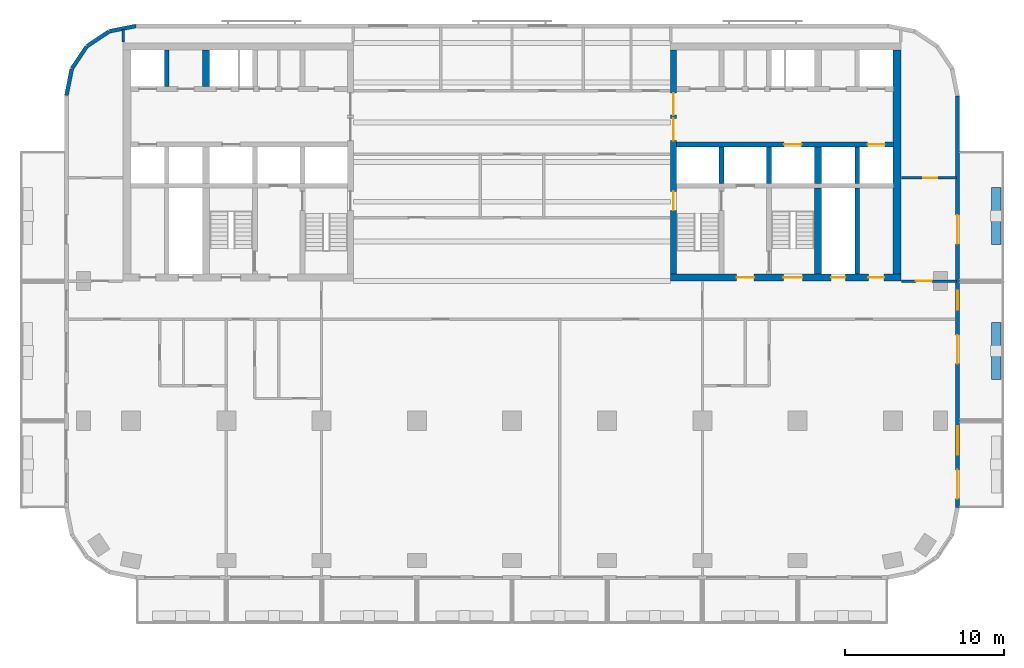
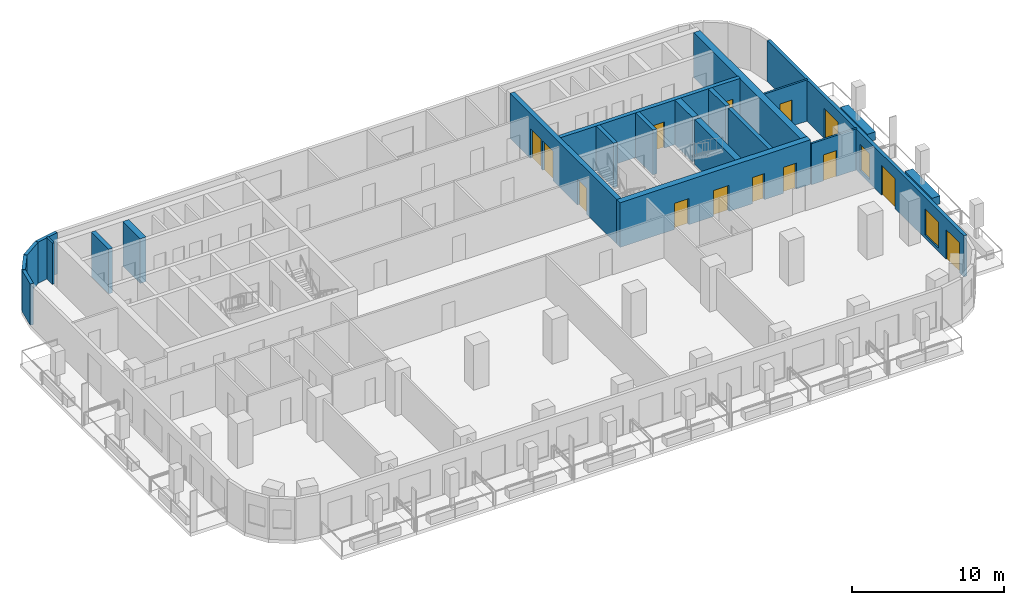
# One storey, part 5 of 11: 22 walls, 14 doors, 2 windows, 16 openings.
"""IFC4 building model written with IfcOpenShell, lengths in metres."""

import ifcopenshell
import ifcopenshell.guid

model = None  # the IFC model being written
_history = None  # IfcOwnerHistory: only IFC2X3 demands one
_inside = {}  # id of a spatial element -> (the spatial element, [elements in it])
_under = {}  # id of a project, library or spatial element -> (it, [spatial elements below it])
_declared = {}  # id of a project -> (the project, [libraries it declares])
_typed = {}  # id of a type object -> (the type object, [elements of that type])
_made_of = {}  # id of a material, layer set ... -> (it, [elements and type objects made of it])


def new_model(schema):
    """Start an empty IFC model of exactly this schema.

    Asked for "IFC4X3", IfcOpenShell would pick the latest addendum, in which some entities
    have other attributes; the version numbers below select the first issue.
    IFC2X3 requires an IfcOwnerHistory on every rooted entity: one is made here for all.
    """
    global model, _history
    if schema == "IFC4X3":
        model = ifcopenshell.file(schema_version=(4, 3, 0, 0))
    else:
        model = ifcopenshell.file(schema=schema)
    _inside.clear()
    _under.clear()
    _declared.clear()
    _typed.clear()
    _made_of.clear()
    _history = None
    if model.schema == "IFC2X3":
        org = make("IfcOrganization", Name="unknown")
        user = make(
            "IfcPersonAndOrganization",
            ThePerson=make("IfcPerson", FamilyName="unknown"),
            TheOrganization=org,
        )
        app = make(
            "IfcApplication",
            ApplicationDeveloper=org,
            Version="unknown",
            ApplicationFullName="unknown",
            ApplicationIdentifier="unknown",
        )
        _history = make(
            "IfcOwnerHistory",
            OwningUser=user,
            OwningApplication=app,
            ChangeAction="ADDED",
            CreationDate=0,
        )
    return model


def make(cls, **values):
    """One entity of the class cls with the attributes given. An attribute that is None is left unset."""
    return model.create_entity(
        cls, **{name: value for name, value in values.items() if value is not None}
    )


def rooted(cls, **values):
    """An entity with a GlobalId (a new one), such as an element, a storey or a relation."""
    return make(cls, GlobalId=ifcopenshell.guid.new(), OwnerHistory=_history, **values)


def si_unit(unit_type, name, prefix=None):
    """IfcSIUnit, for example si_unit("LENGTHUNIT", "METRE", prefix="MILLI")."""
    return make("IfcSIUnit", UnitType=unit_type, Prefix=prefix, Name=name)


def assignment(units):
    """IfcUnitAssignment: the units of a project."""
    return None if units is None else make("IfcUnitAssignment", Units=units)


def point(xyz):
    """IfcCartesianPoint."""
    return None if xyz is None else make("IfcCartesianPoint", Coordinates=xyz)


def direction(xyz):
    """IfcDirection."""
    return None if xyz is None else make("IfcDirection", DirectionRatios=xyz)


def frame(location, z_axis=None, x_axis=None):
    """IfcAxis2Placement3D, a coordinate frame: its origin and axes. An axis left out is left unset."""
    return make(
        "IfcAxis2Placement3D",
        Location=point(location),
        Axis=direction(z_axis),
        RefDirection=direction(x_axis),
    )


def frame_2d(location, x_axis=None):
    """IfcAxis2Placement2D, a coordinate frame in the plane: its origin and x axis."""
    return make(
        "IfcAxis2Placement2D", Location=point(location), RefDirection=direction(x_axis)
    )


def origin():
    """The frame at (0, 0, 0) with its axes left unset."""
    return frame((0.0, 0.0, 0.0))


def place(relative_to, where):
    """IfcLocalPlacement: puts the frame where relative to a parent placement (None: the world)."""
    return make(
        "IfcLocalPlacement", PlacementRelTo=relative_to, RelativePlacement=where
    )


def context(
    kind, dimensions, precision=None, world=None, true_north=None, identifier=None
):
    """IfcGeometricRepresentationContext, for example the 3D "Model" context."""
    return make(
        "IfcGeometricRepresentationContext",
        ContextIdentifier=identifier,
        ContextType=kind,
        CoordinateSpaceDimension=dimensions,
        Precision=precision,
        WorldCoordinateSystem=world,
        TrueNorth=true_north,
    )


def subcontext(parent, identifier, kind, view, scale=None):
    """IfcGeometricRepresentationSubContext, for example "Body" below "Model"."""
    return make(
        "IfcGeometricRepresentationSubContext",
        ContextIdentifier=identifier,
        ContextType=kind,
        ParentContext=parent,
        TargetScale=scale,
        TargetView=view,
    )


def project(units=None, contexts=None):
    """IfcProject with its units and contexts."""
    return rooted(
        "IfcProject",
        Name="project",
        RepresentationContexts=contexts,
        UnitsInContext=assignment(units),
    )


def spatial(cls, under=None, at=None, **own):
    """A site, building, storey or space (cls), placed at a placement, below another one or the project."""
    s = rooted(cls, ObjectPlacement=at, **own)
    if under is not None:
        _under.setdefault(under.id(), (under, []))[1].append(s)
    return s


def profile(cls, at=None, kind="AREA", **sizes):
    """A parametric profile (cls). Its sizes go by their IFC names, for example OverallWidth=200.0."""
    return make(cls, ProfileType=kind, Position=at, **sizes)


def rectangle(**sizes):
    """IfcRectangleProfileDef."""
    return profile("IfcRectangleProfileDef", **sizes)


def extrude(swept, where, along, depth):
    """IfcExtrudedAreaSolid: the profile swept, set in the frame where, extruded along a direction by depth."""
    return make(
        "IfcExtrudedAreaSolid",
        SweptArea=swept,
        Position=where,
        ExtrudedDirection=direction(along),
        Depth=depth,
    )


def shape(context_of_items, identifier, shape_type, items):
    """IfcShapeRepresentation: the items that make up one representation, for example the "Body"."""
    return make(
        "IfcShapeRepresentation",
        ContextOfItems=context_of_items,
        RepresentationIdentifier=identifier,
        RepresentationType=shape_type,
        Items=items,
    )


def material(Name=None, Category=None):
    """IfcMaterial."""
    return make("IfcMaterial", Name=Name, Category=Category)


def layer(
    of_material, thickness, ventilated=None, Name=None, Category=None, Priority=None
):
    """IfcMaterialLayer: one layer of a wall or slab, of a material (None: an air gap)."""
    return make(
        "IfcMaterialLayer",
        Material=of_material,
        LayerThickness=thickness,
        IsVentilated=ventilated,
        Name=Name,
        Category=Category,
        Priority=Priority,
    )


def layer_set(layers, Name=None):
    """IfcMaterialLayerSet."""
    return make("IfcMaterialLayerSet", MaterialLayers=layers, LayerSetName=Name)


def made_of(thing, what):
    """Note that an element or type object is made of a material, layer set ...; save() writes the relation."""
    if what is not None:
        _made_of.setdefault(what.id(), (what, []))[1].append(thing)
    return thing


def type_object(cls, material=None, **own):
    """A type object (cls), such as IfcWallType, which elements share."""
    return made_of(rooted(cls, **own), material)


def element(
    cls,
    number,
    at=None,
    inside=None,
    cuts=None,
    type_object=None,
    material=None,
    context=None,
    identifier="Body",
    shape_type=None,
    held_by="IfcProductDefinitionShape",
    body=None,
    shapes=None,
    **own,
):
    """One element of the class cls, such as IfcWall. Its Tag is "e" and its number.

    at: its placement. inside: the storey or other place that contains it. cuts: it is an
    opening in that element (IfcRelVoidsElement). A single representation is given by context,
    identifier, shape_type and body (its items); several are given by shapes. held_by: the class
    of the entity that holds the representations. save() writes the other relations.
    """
    e = rooted(cls, Tag="e%d" % number, ObjectPlacement=at, **own)
    if body is not None:
        shapes = [shape(context, identifier, shape_type, body)]
    if shapes is not None:
        e.Representation = make(held_by, Representations=shapes)
    if inside is not None:
        _inside.setdefault(inside.id(), (inside, []))[1].append(e)
    if cuts is not None:
        rooted(
            "IfcRelVoidsElement", RelatingBuildingElement=cuts, RelatedOpeningElement=e
        )
    if type_object is not None:
        _typed.setdefault(type_object.id(), (type_object, []))[1].append(e)
    return made_of(e, material)


def fill(opening, filler):
    """IfcRelFillsElement: the door or window that sits in an opening."""
    return rooted(
        "IfcRelFillsElement",
        RelatingOpeningElement=opening,
        RelatedBuildingElement=filler,
    )


def aggregate(whole, parts):
    """IfcRelAggregates: a whole, such as a stair, and the parts it consists of."""
    return rooted("IfcRelAggregates", RelatingObject=whole, RelatedObjects=parts)


def save(model, path):
    """Write the relations noted so far, then the file.

    IfcRelAggregates (storeys below a building ...), IfcRelContainedInSpatialStructure (elements
    in a storey), IfcRelDefinesByType, IfcRelAssociatesMaterial and IfcRelDeclares: one each for
    every whole, place, type object, material and project.
    """
    for whole, parts in _under.values():
        aggregate(whole, parts)
    for where, things in _inside.values():
        rooted(
            "IfcRelContainedInSpatialStructure",
            RelatedElements=things,
            RelatingStructure=where,
        )
    for kind, things in _typed.values():
        rooted("IfcRelDefinesByType", RelatedObjects=things, RelatingType=kind)
    for what, things in _made_of.values():
        rooted("IfcRelAssociatesMaterial", RelatedObjects=things, RelatingMaterial=what)
    for by, libraries in _declared.values():
        rooted("IfcRelDeclares", RelatingContext=by, RelatedDefinitions=libraries)
    model.write(path)


model = new_model("IFC4")

# Units and contexts
model_context = context("Model", 3, precision=1e-05, world=origin(), true_north=direction((0.0, 1.0)))
body_context = subcontext(model_context, "Body", "Model", "MODEL_VIEW")
ifc_project = project(units=[si_unit("LENGTHUNIT", "METRE"), si_unit("AREAUNIT", "SQUARE_METRE"), si_unit("VOLUMEUNIT", "CUBIC_METRE"), si_unit("PLANEANGLEUNIT", "RADIAN"), si_unit("MASSUNIT", "GRAM", prefix="KILO")], contexts=[model_context])

# Site, building, storey
site_placement = place(None, origin())
site = spatial("IfcSite", under=ifc_project, at=site_placement, CompositionType="ELEMENT")
building_placement = place(site_placement, origin())
building = spatial("IfcBuilding", under=site, at=building_placement, Name="Torana Hotel and Residences", CompositionType="ELEMENT")
storey_placement = place(building_placement, frame((0.0, 0.0, 170.39990234375)))
storey = spatial("IfcBuildingStorey", under=building, at=storey_placement, Name="L44", CompositionType="ELEMENT", Elevation=170.39990234375)

# Wall
ifc_material_1 = material(Name="Concrete C70/85", Category="concrete")
ifc_layer_1 = layer(ifc_material_1, 0.300048828125)
ifc_layer_set_1 = layer_set([ifc_layer_1], Name="CORE WALL 300 C70/85")
wall_type_1 = type_object("IfcWallType", Name="CORE WALL 300 C70/85", PredefinedType="SHEAR", material=ifc_layer_set_1)
wall_1_placement = place(storey_placement, frame((-21.75, -2.75, 0.0), z_axis=(0.0, 0.0, 1.0), x_axis=(0.0, 1.0, 0.0)))
element("IfcWall", 1, at=wall_1_placement, inside=storey, type_object=wall_type_1, Name="Core wall W mm-N", PredefinedType="SHEAR", context=body_context, shape_type="SweptSolid", body=[
    extrude(rectangle(XDim=2.300048828125, YDim=0.300048828125, at=frame_2d((1.14990234375, 0.0))), origin(), (0.0, 0.0, 1.0), 3.60009765625),
])

# Wall, openings, doors
wall_2_placement = place(storey_placement, frame((10.35009765625, -6.39990234375, 0.0), z_axis=(0.0, 0.0, 1.0), x_axis=(1.0, 0.0, 0.0)))
wall_2 = element("IfcWall", 2, at=wall_2_placement, inside=storey, type_object=wall_type_1, Name="Core wall E row-S", PredefinedType="SHEAR", context=body_context, shape_type="SweptSolid", body=[
    extrude(rectangle(XDim=13.699951171875, YDim=0.300048828125, at=frame_2d((6.85009765625, 0.0))), origin(), (0.0, 0.0, 1.0), 3.60009765625),
])
opening_1_placement = place(wall_2_placement, frame((12.050048828125, 0.0, 0.0)))
opening_1 = element("IfcOpeningElement", 3, at=opening_1_placement, cuts=wall_2, Name="Opening LD", PredefinedType="OPENING", context=body_context, shape_type="SweptSolid", body=[
    extrude(rectangle(XDim=1.10009765625, YDim=2.10009765625, at=frame_2d((0.550048828125, 1.050048828125))), frame((0.0, 0.159912109375, 0.0), z_axis=(0.0, -1.0, 0.0), x_axis=(1.0, 0.0, 0.0)), (0.0, 0.0, 1.0), 0.320068359375),
])
opening_2_placement = place(wall_2_placement, frame((6.800048828125, 0.0, 0.0)))
opening_2 = element("IfcOpeningElement", 4, at=opening_2_placement, cuts=wall_2, Name="Opening LD", PredefinedType="OPENING", context=body_context, shape_type="SweptSolid", body=[
    extrude(rectangle(XDim=1.10009765625, YDim=2.10009765625, at=frame_2d((0.550048828125, 1.050048828125))), frame((0.0, 0.159912109375, 0.0), z_axis=(0.0, -1.0, 0.0), x_axis=(1.0, 0.0, 0.0)), (0.0, 0.0, 1.0), 0.320068359375),
])
ifc_material_2 = material(Name="Stainless steel 316", Category="steel")
door_type_1 = type_object("IfcDoorType", Name="LIFT LANDING DOOR LD 1100x2100", OperationType="DOUBLE_DOOR_SLIDING", PredefinedType="USERDEFINED", material=ifc_material_2)
door_1_placement = place(opening_1_placement, origin())
door_1 = element("IfcDoor", 5, at=door_1_placement, inside=storey, type_object=door_type_1, Name="Lift landing door M4 L44", ObjectType="LIFT LANDING DOOR", OperationType="DOUBLE_DOOR_SLIDING", OverallHeight=2.10009765625, OverallWidth=1.10009765625, PredefinedType="USERDEFINED", context=body_context, shape_type="SweptSolid", body=[
    extrude(rectangle(XDim=1.10009765625, YDim=2.10009765625, at=frame_2d((0.550048828125, 1.050048828125))), frame((0.0, 0.02490234375, 0.0), z_axis=(0.0, -1.0, 0.0), x_axis=(1.0, 0.0, 0.0)), (0.0, 0.0, 1.0), 0.050048828125),
])
fill(opening_1, door_1)
door_2_placement = place(opening_2_placement, origin())
door_2 = element("IfcDoor", 6, at=door_2_placement, inside=storey, type_object=door_type_1, Name="Lift landing door SV2 L44", ObjectType="LIFT LANDING DOOR", OperationType="DOUBLE_DOOR_SLIDING", OverallHeight=2.10009765625, OverallWidth=1.10009765625, PredefinedType="USERDEFINED", context=body_context, shape_type="SweptSolid", body=[
    extrude(rectangle(XDim=1.10009765625, YDim=2.10009765625, at=frame_2d((0.550048828125, 1.050048828125))), frame((0.0, 0.02490234375, 0.0), z_axis=(0.0, -1.0, 0.0), x_axis=(1.0, 0.0, 0.0)), (0.0, 0.0, 1.0), 0.050048828125),
])
fill(opening_2, door_2)

# Walls
for number, where, z_axis, x_axis, name in (
    (7, (13.199951171875, -8.85009765625, 0.0), (0.0, 0.0, 1.0), (0.0, 1.0, 0.0), "Core wall E x3.05-S"),
    (8, (16.199951171875, -8.85009765625, 0.0), (0.0, 0.0, 1.0), (0.0, 1.0, 0.0), "Core wall E x6.05-S"),
    (9, (21.75, -8.85009765625, 0.0), (0.0, 0.0, 1.0), (0.0, 1.0, 0.0), "Core wall E mm-S"),
):
    element("IfcWall", number, at=place(storey_placement, frame(where, z_axis=z_axis, x_axis=x_axis)), inside=storey, type_object=wall_type_1, Name=name, PredefinedType="SHEAR", context=body_context, shape_type="SweptSolid", body=[
        extrude(rectangle(XDim=2.300048828125, YDim=0.300048828125, at=frame_2d((1.14990234375, 0.0))), origin(), (0.0, 0.0, 1.0), 3.60009765625),
    ])
wall_3_placement = place(storey_placement, frame((21.75, -14.550048828125, 0.0), z_axis=(0.0, 0.0, 1.0), x_axis=(0.0, 1.0, 0.0)))
element("IfcWall", 10, at=wall_3_placement, inside=storey, type_object=wall_type_1, Name="Core wall E mm-band", PredefinedType="SHEAR", context=body_context, shape_type="SweptSolid", body=[
    extrude(rectangle(XDim=5.400146484375, YDim=0.300048828125, at=frame_2d((2.7001953125, 0.0))), origin(), (0.0, 0.0, 1.0), 3.60009765625),
])

# Wall, openings, doors
ifc_material_3 = material(Name="Concrete C70/85", Category="concrete")
ifc_layer_2 = layer(ifc_material_3, 0.35009765625)
ifc_layer_set_2 = layer_set([ifc_layer_2], Name="CORE WALL 350 C70/85")
wall_type_2 = type_object("IfcWallType", Name="CORE WALL 350 C70/85", PredefinedType="SHEAR", material=ifc_layer_set_2)
wall_4_placement = place(storey_placement, frame((10.175048828125, -14.550048828125, 0.0), z_axis=(0.0, 0.0, 1.0), x_axis=(0.0, 1.0, 0.0)))
wall_4 = element("IfcWall", 11, at=wall_4_placement, inside=storey, type_object=wall_type_2, Name="Core wall E arch", PredefinedType="SHEAR", context=body_context, shape_type="SweptSolid", body=[
    extrude(rectangle(XDim=14.10009765625, YDim=0.35009765625, at=frame_2d((7.050048828125, 0.0))), origin(), (0.0, 0.0, 1.0), 3.60009765625),
])
opening_3_placement = place(wall_4_placement, frame((8.39990234375, 0.0, 0.0)))
opening_3 = element("IfcOpeningElement", 12, at=opening_3_placement, cuts=wall_4, Name="Opening L44-16", PredefinedType="OPENING", context=body_context, shape_type="SweptSolid", body=[
    extrude(rectangle(XDim=1.39990234375, YDim=2.39990234375, at=frame_2d((0.699951171875, 1.199951171875))), frame((0.0, 0.18505859375, 0.0), z_axis=(0.0, -1.0, 0.0), x_axis=(1.0, 0.0, 0.0)), (0.0, 0.0, 1.0), 0.3701171875),
])
opening_4_placement = place(wall_4_placement, frame((10.0, 0.0, 0.0)))
opening_4 = element("IfcOpeningElement", 13, at=opening_4_placement, cuts=wall_4, Name="Opening L44-17", PredefinedType="OPENING", context=body_context, shape_type="SweptSolid", body=[
    extrude(rectangle(XDim=1.39990234375, YDim=2.39990234375, at=frame_2d((0.699951171875, 1.199951171875))), frame((0.0, 0.18505859375, 0.0), z_axis=(0.0, -1.0, 0.0), x_axis=(1.0, 0.0, 0.0)), (0.0, 0.0, 1.0), 0.3701171875),
])
opening_5_placement = place(wall_4_placement, frame((4.0, 0.0, 0.0)))
opening_5 = element("IfcOpeningElement", 14, at=opening_5_placement, cuts=wall_4, Name="Opening L44-18", PredefinedType="OPENING", context=body_context, shape_type="SweptSolid", body=[
    extrude(rectangle(XDim=1.199951171875, YDim=2.10009765625, at=frame_2d((0.60009765625, 1.050048828125))), frame((0.0, 0.18505859375, 0.0), z_axis=(0.0, -1.0, 0.0), x_axis=(1.0, 0.0, 0.0)), (0.0, 0.0, 1.0), 0.3701171875),
])
ifc_material_4 = material(Name="Steel S235", Category="steel")
door_type_2 = type_object("IfcDoorType", Name="LOBBY FIRE DOOR D4 1400x2400", OperationType="DOUBLE_DOOR_SINGLE_SWING", PredefinedType="DOOR", material=ifc_material_4)
door_3_placement = place(opening_3_placement, origin())
door_3 = element("IfcDoor", 15, at=door_3_placement, inside=storey, type_object=door_type_2, Name="Lobby-1 door L44", OperationType="DOUBLE_DOOR_SINGLE_SWING", OverallHeight=2.39990234375, OverallWidth=1.39990234375, PredefinedType="DOOR", context=body_context, shape_type="SweptSolid", body=[
    extrude(rectangle(XDim=1.39990234375, YDim=2.39990234375, at=frame_2d((0.699951171875, 1.199951171875))), frame((0.0, 0.02490234375, 0.0), z_axis=(0.0, -1.0, 0.0), x_axis=(1.0, 0.0, 0.0)), (0.0, 0.0, 1.0), 0.050048828125),
])
fill(opening_3, door_3)
door_4_placement = place(opening_4_placement, origin())
door_4 = element("IfcDoor", 16, at=door_4_placement, inside=storey, type_object=door_type_2, Name="Lobby-2 door L44", OperationType="DOUBLE_DOOR_SINGLE_SWING", OverallHeight=2.39990234375, OverallWidth=1.39990234375, PredefinedType="DOOR", context=body_context, shape_type="SweptSolid", body=[
    extrude(rectangle(XDim=1.39990234375, YDim=2.39990234375, at=frame_2d((0.699951171875, 1.199951171875))), frame((0.0, 0.02490234375, 0.0), z_axis=(0.0, -1.0, 0.0), x_axis=(1.0, 0.0, 0.0)), (0.0, 0.0, 1.0), 0.050048828125),
])
fill(opening_4, door_4)
ifc_material_5 = material(Name="Steel S235", Category="steel")
door_type_3 = type_object("IfcDoorType", Name="STAIR FIRE DOOR D3 1200x2100", OperationType="SINGLE_SWING_LEFT", PredefinedType="DOOR", material=ifc_material_5)
door_5_placement = place(opening_5_placement, frame((0.60009765625, 0.0, 0.0), z_axis=(0.0, 0.0, 1.0), x_axis=(-1.0, 0.0, 0.0)))
door_5 = element("IfcDoor", 17, at=door_5_placement, inside=storey, type_object=door_type_3, Name="Stair-A door L44", OperationType="SINGLE_SWING_RIGHT", OverallHeight=2.10009765625, OverallWidth=1.199951171875, PredefinedType="DOOR", context=body_context, shape_type="SweptSolid", body=[
    extrude(rectangle(XDim=1.199951171875, YDim=2.10009765625, at=frame_2d((0.0, 1.050048828125))), frame((0.0, -0.02490234375, 0.0), z_axis=(0.0, 1.0, 0.0), x_axis=(-1.0, 0.0, 0.0)), (0.0, 0.0, 1.0), 0.050048828125),
])
fill(opening_5, door_5)

# Wall
ifc_material_6 = material(Name="Concrete C70/85", Category="concrete")
ifc_layer_3 = layer(ifc_material_6, 0.449951171875)
ifc_layer_set_3 = layer_set([ifc_layer_3], Name="CORE WALL 450 C70/85")
wall_type_3 = type_object("IfcWallType", Name="CORE WALL 450 C70/85", PredefinedType="SHEAR", material=ifc_layer_set_3)
wall_5_placement = place(storey_placement, frame((-19.27490234375, -2.75, 0.0), z_axis=(0.0, 0.0, 1.0), x_axis=(0.0, 1.0, 0.0)))
element("IfcWall", 18, at=wall_5_placement, inside=storey, type_object=wall_type_3, Name="Core wall W hm-N", PredefinedType="SHEAR", context=body_context, shape_type="SweptSolid", body=[
    extrude(rectangle(XDim=2.300048828125, YDim=0.449951171875, at=frame_2d((1.14990234375, 0.0))), origin(), (0.0, 0.0, 1.0), 3.60009765625),
])

# Wall, openings, doors
wall_6_placement = place(storey_placement, frame((10.0, -14.77490234375, 0.0), z_axis=(0.0, 0.0, 1.0), x_axis=(1.0, 0.0, 0.0)))
wall_6 = element("IfcWall", 19, at=wall_6_placement, inside=storey, type_object=wall_type_3, Name="Core wall E front", PredefinedType="SHEAR", context=body_context, shape_type="SweptSolid", body=[
    extrude(rectangle(XDim=14.5, YDim=0.449951171875, at=frame_2d((7.25, 0.0))), origin(), (0.0, 0.0, 1.0), 3.60009765625),
])
opening_6_placement = place(wall_6_placement, frame((7.10009765625, 0.0, 0.0)))
opening_6 = element("IfcOpeningElement", 20, at=opening_6_placement, cuts=wall_6, Name="Opening L44-19", PredefinedType="OPENING", context=body_context, shape_type="SweptSolid", body=[
    extrude(rectangle(XDim=1.199951171875, YDim=2.10009765625, at=frame_2d((0.60009765625, 1.050048828125))), frame((0.0, 0.23486328125, 0.0), z_axis=(0.0, -1.0, 0.0), x_axis=(1.0, 0.0, 0.0)), (0.0, 0.0, 1.0), 0.469970703125),
])
opening_7_placement = place(wall_6_placement, frame((4.14990234375, 0.0, 0.0)))
opening_7 = element("IfcOpeningElement", 21, at=opening_7_placement, cuts=wall_6, Name="Opening L44-20", PredefinedType="OPENING", context=body_context, shape_type="SweptSolid", body=[
    extrude(rectangle(XDim=1.10009765625, YDim=2.10009765625, at=frame_2d((0.550048828125, 1.050048828125))), frame((0.0, 0.23486328125, 0.0), z_axis=(0.0, -1.0, 0.0), x_axis=(1.0, 0.0, 0.0)), (0.0, 0.0, 1.0), 0.469970703125),
])
opening_8_placement = place(wall_6_placement, frame((10.10009765625, 0.0, 0.0)))
opening_8 = element("IfcOpeningElement", 22, at=opening_8_placement, cuts=wall_6, Name="Opening L44-21", PredefinedType="OPENING", context=body_context, shape_type="SweptSolid", body=[
    extrude(rectangle(XDim=0.89990234375, YDim=2.10009765625, at=frame_2d((0.449951171875, 1.050048828125))), frame((0.0, 0.23486328125, 0.0), z_axis=(0.0, -1.0, 0.0), x_axis=(1.0, 0.0, 0.0)), (0.0, 0.0, 1.0), 0.469970703125),
])
opening_9_placement = place(wall_6_placement, frame((12.449951171875, 0.0, 0.0)))
opening_9 = element("IfcOpeningElement", 23, at=opening_9_placement, cuts=wall_6, Name="Opening L44-22", PredefinedType="OPENING", context=body_context, shape_type="SweptSolid", body=[
    extrude(rectangle(XDim=1.0, YDim=2.10009765625, at=frame_2d((0.5, 1.050048828125))), frame((0.0, 0.23486328125, 0.0), z_axis=(0.0, -1.0, 0.0), x_axis=(1.0, 0.0, 0.0)), (0.0, 0.0, 1.0), 0.469970703125),
])
ifc_material_7 = material(Name="Steel S235", Category="steel")
door_type_4 = type_object("IfcDoorType", Name="CORE ROOM FIRE DOOR D14 1000x2100", OperationType="SINGLE_SWING_LEFT", PredefinedType="DOOR", material=ifc_material_7)
door_6_placement = place(opening_9_placement, origin())
door_6 = element("IfcDoor", 24, at=door_6_placement, inside=storey, type_object=door_type_4, Name="M-Room door L44", OperationType="SINGLE_SWING_RIGHT", OverallHeight=2.10009765625, OverallWidth=1.0, PredefinedType="DOOR", context=body_context, shape_type="SweptSolid", body=[
    extrude(rectangle(XDim=1.0, YDim=2.10009765625, at=frame_2d((0.5, 1.050048828125))), frame((0.0, 0.02490234375, 0.0), z_axis=(0.0, -1.0, 0.0), x_axis=(1.0, 0.0, 0.0)), (0.0, 0.0, 1.0), 0.050048828125),
])
fill(opening_9, door_6)
ifc_material_8 = material(Name="Steel S235", Category="steel")
door_type_5 = type_object("IfcDoorType", Name="FIRE-FIGHTING LOBBY DOOR D8 1100x2100", OperationType="SINGLE_SWING_LEFT", PredefinedType="DOOR", material=ifc_material_8)
door_7_placement = place(opening_7_placement, origin())
door_7 = element("IfcDoor", 25, at=door_7_placement, inside=storey, type_object=door_type_5, Name="FF-lobby door L44", OperationType="SINGLE_SWING_RIGHT", OverallHeight=2.10009765625, OverallWidth=1.10009765625, PredefinedType="DOOR", context=body_context, shape_type="SweptSolid", body=[
    extrude(rectangle(XDim=1.10009765625, YDim=2.10009765625, at=frame_2d((0.550048828125, 1.050048828125))), frame((0.0, 0.02490234375, 0.0), z_axis=(0.0, -1.0, 0.0), x_axis=(1.0, 0.0, 0.0)), (0.0, 0.0, 1.0), 0.050048828125),
])
fill(opening_7, door_7)
ifc_material_9 = material(Name="Steel S235", Category="steel")
door_type_6 = type_object("IfcDoorType", Name="RISER ACCESS DOOR D5 900x2100", OperationType="SINGLE_SWING_LEFT", PredefinedType="DOOR", material=ifc_material_9)
door_8_placement = place(opening_8_placement, origin())
door_8 = element("IfcDoor", 26, at=door_8_placement, inside=storey, type_object=door_type_6, Name="M-Riser door L44", OperationType="SINGLE_SWING_RIGHT", OverallHeight=2.10009765625, OverallWidth=0.89990234375, PredefinedType="DOOR", context=body_context, shape_type="SweptSolid", body=[
    extrude(rectangle(XDim=0.89990234375, YDim=2.10009765625, at=frame_2d((0.449951171875, 1.050048828125))), frame((0.0, 0.02490234375, 0.0), z_axis=(0.0, -1.0, 0.0), x_axis=(1.0, 0.0, 0.0)), (0.0, 0.0, 1.0), 0.050048828125),
])
fill(opening_8, door_8)
door_9_placement = place(opening_6_placement, origin())
door_9 = element("IfcDoor", 27, at=door_9_placement, inside=storey, type_object=door_type_3, Name="Stair-B door L44", OperationType="SINGLE_SWING_RIGHT", OverallHeight=2.10009765625, OverallWidth=1.199951171875, PredefinedType="DOOR", context=body_context, shape_type="SweptSolid", body=[
    extrude(rectangle(XDim=1.199951171875, YDim=2.10009765625, at=frame_2d((0.60009765625, 1.050048828125))), frame((0.0, 0.02490234375, 0.0), z_axis=(0.0, -1.0, 0.0), x_axis=(1.0, 0.0, 0.0)), (0.0, 0.0, 1.0), 0.050048828125),
])
fill(opening_6, door_9)

# Walls
wall_7_placement = place(storey_placement, frame((19.27490234375, -8.85009765625, 0.0), z_axis=(0.0, 0.0, 1.0), x_axis=(0.0, 1.0, 0.0)))
element("IfcWall", 28, at=wall_7_placement, inside=storey, type_object=wall_type_3, Name="Core wall E hm-S", PredefinedType="SHEAR", context=body_context, shape_type="SweptSolid", body=[
    extrude(rectangle(XDim=2.300048828125, YDim=0.449951171875, at=frame_2d((1.14990234375, 0.0))), origin(), (0.0, 0.0, 1.0), 3.60009765625),
])
wall_8_placement = place(storey_placement, frame((19.27490234375, -14.550048828125, 0.0), z_axis=(0.0, 0.0, 1.0), x_axis=(0.0, 1.0, 0.0)))
element("IfcWall", 29, at=wall_8_placement, inside=storey, type_object=wall_type_3, Name="Core wall E hm-band", PredefinedType="SHEAR", context=body_context, shape_type="SweptSolid", body=[
    extrude(rectangle(XDim=5.400146484375, YDim=0.449951171875, at=frame_2d((2.7001953125, 0.0))), origin(), (0.0, 0.0, 1.0), 3.60009765625),
])
ifc_material_10 = material(Name="Concrete C70/85", Category="concrete")
ifc_layer_4 = layer(ifc_material_10, 0.5)
ifc_layer_set_4 = layer_set([ifc_layer_4], Name="CORE WALL 500 C70/85")
wall_type_4 = type_object("IfcWallType", Name="CORE WALL 500 C70/85", PredefinedType="SHEAR", material=ifc_layer_set_4)
wall_9_placement = place(storey_placement, frame((24.25, -14.550048828125, 0.0), z_axis=(0.0, 0.0, 1.0), x_axis=(0.0, 1.0, 0.0)))
element("IfcWall", 30, at=wall_9_placement, inside=storey, type_object=wall_type_4, Name="Core wall E outer", PredefinedType="SHEAR", context=body_context, shape_type="SweptSolid", body=[
    extrude(rectangle(XDim=14.10009765625, YDim=0.5, at=frame_2d((7.050048828125, 0.0))), origin(), (0.0, 0.0, 1.0), 3.60009765625),
])
ifc_material_11 = material(Name="Black aluminium composite panel", Category="aluminium")
ifc_layer_5 = layer(ifc_material_11, 0.00390625, Name="Cladding", Category="cladding")
ifc_material_12 = material(Name="Ventilated air cavity")
ifc_layer_6 = layer(ifc_material_12, 0.0400390625, Name="Ventilated cavity", Category="cavity")
ifc_material_13 = material(Name="Mineral wool insulation")
ifc_layer_7 = layer(ifc_material_13, 0.090087890625, Name="Insulation", Category="insulation")
ifc_material_14 = material(Name="Steel S280GD", Category="steel")
ifc_layer_8 = layer(ifc_material_14, 0.092041015625, Name="Steel stud frame", Category="structure")
ifc_material_15 = material(Name="Fire rated plasterboard")
ifc_layer_9 = layer(ifc_material_15, 0.011962890625, Name="Inner board", Category="finish")
ifc_layer_10 = layer(ifc_material_15, 0.011962890625, Name="Second board", Category="finish")
ifc_layer_set_5 = layer_set([ifc_layer_5, ifc_layer_6, ifc_layer_7, ifc_layer_8, ifc_layer_9, ifc_layer_10], Name="EW1 EXTERNAL WALL BLACK METAL CLAD 250")
wall_type_5 = type_object("IfcWallType", Name="EW1 EXTERNAL WALL BLACK METAL CLAD 250", PredefinedType="SOLIDWALL", material=ifc_layer_set_5)
wall_10_placement = place(storey_placement, frame((-23.69970703125, 1.072509765625, 0.0), z_axis=(0.0, 0.0, 1.0), x_axis=(-0.980803419081, -0.194999110559, 0.0)))
element("IfcWall", 31, at=wall_10_placement, inside=storey, type_object=wall_type_5, Name="External wall L44 e0.5", PredefinedType="SOLIDWALL", context=body_context, shape_type="SweptSolid", body=[
    extrude(rectangle(XDim=1.681396484375, YDim=0.25, at=frame_2d((0.8408203125, 0.0))), origin(), (0.0, 0.0, 1.0), 3.320068359375),
])
for number, where, z_axis, x_axis, name in (
    (32, (-25.39404296875, 0.725830078125, 0.0), (0.0, 0.0, 1.0), (-0.831482937015, -0.55555029066, 0.0), "External wall L44 e0.6"),
    (33, (-26.8056640625, -0.228759765625, 0.0), (0.0, 0.0, 1.0), (-0.55555029066, -0.831482937015, 0.0), "External wall L44 e0.7"),
):
    element("IfcWall", number, at=place(storey_placement, frame(where, z_axis=z_axis, x_axis=x_axis)), inside=storey, type_object=wall_type_5, Name=name, PredefinedType="SOLIDWALL", context=body_context, shape_type="SweptSolid", body=[
        extrude(rectangle(XDim=1.65625, YDim=0.25, at=frame_2d((0.828125, 0.0))), origin(), (0.0, 0.0, 1.0), 3.320068359375),
    ])
wall_11_placement = place(storey_placement, frame((-27.74462890625, -1.651123046875, 0.0), z_axis=(0.0, 0.0, 1.0), x_axis=(-0.194999110559, -0.980803419081, 0.0)))
element("IfcWall", 34, at=wall_11_placement, inside=storey, type_object=wall_type_5, Name="External wall L44 e0.8", PredefinedType="SOLIDWALL", context=body_context, shape_type="SweptSolid", body=[
    extrude(rectangle(XDim=1.681396484375, YDim=0.25, at=frame_2d((0.8408203125, 0.0))), origin(), (0.0, 0.0, 1.0), 3.320068359375),
])

# Wall, openings, doors, windows
wall_12_placement = place(storey_placement, frame((28.074951171875, -29.275390625, 0.0), z_axis=(0.0, 0.0, 1.0), x_axis=(0.0, 1.0, 0.0)))
wall_12 = element("IfcWall", 35, at=wall_12_placement, inside=storey, type_object=wall_type_5, Name="External wall L44 e0.19", PredefinedType="SOLIDWALL", context=body_context, shape_type="SweptSolid", body=[
    extrude(rectangle(XDim=25.95068359375, YDim=0.25, at=frame_2d((12.975341796875, 0.0))), origin(), (0.0, 0.0, 1.0), 3.320068359375),
])
opening_10_placement = place(wall_12_placement, frame((0.575439453125, 0.0, 0.0)))
opening_10 = element("IfcOpeningElement", 36, at=opening_10_placement, cuts=wall_12, Name="Opening L44-E09", PredefinedType="OPENING", context=body_context, shape_type="SweptSolid", body=[
    extrude(rectangle(XDim=1.800048828125, YDim=2.39990234375, at=frame_2d((0.89990234375, 1.199951171875))), frame((0.0, 0.135009765625, 0.0), z_axis=(0.0, -1.0, 0.0), x_axis=(1.0, 0.0, 0.0)), (0.0, 0.0, 1.0), 0.27001953125),
])
opening_11_placement = place(wall_12_placement, frame((3.325439453125, 0.0, 0.300048828125)))
opening_11 = element("IfcOpeningElement", 37, at=opening_11_placement, cuts=wall_12, Name="Opening W2", PredefinedType="OPENING", context=body_context, shape_type="SweptSolid", body=[
    extrude(rectangle(XDim=1.800048828125, YDim=2.10009765625, at=frame_2d((0.89990234375, 1.050048828125))), frame((0.0, 0.135009765625, 0.0), z_axis=(0.0, -1.0, 0.0), x_axis=(1.0, 0.0, 0.0)), (0.0, 0.0, 1.0), 0.27001953125),
])
opening_12_placement = place(wall_12_placement, frame((9.075439453125, 0.0, 0.0)))
opening_12 = element("IfcOpeningElement", 38, at=opening_12_placement, cuts=wall_12, Name="Opening L44-E10", PredefinedType="OPENING", context=body_context, shape_type="SweptSolid", body=[
    extrude(rectangle(XDim=1.800048828125, YDim=2.39990234375, at=frame_2d((0.89990234375, 1.199951171875))), frame((0.0, 0.135009765625, 0.0), z_axis=(0.0, -1.0, 0.0), x_axis=(1.0, 0.0, 0.0)), (0.0, 0.0, 1.0), 0.27001953125),
])
opening_13_placement = place(wall_12_placement, frame((12.475341796875, 0.0, 0.300048828125)))
opening_13 = element("IfcOpeningElement", 39, at=opening_13_placement, cuts=wall_12, Name="Opening W7", PredefinedType="OPENING", context=body_context, shape_type="SweptSolid", body=[
    extrude(rectangle(XDim=1.199951171875, YDim=2.10009765625, at=frame_2d((0.60009765625, 1.050048828125))), frame((0.0, 0.135009765625, 0.0), z_axis=(0.0, -1.0, 0.0), x_axis=(1.0, 0.0, 0.0)), (0.0, 0.0, 1.0), 0.27001953125),
])
opening_14_placement = place(wall_12_placement, frame((16.62548828125, 0.0, 0.0)))
opening_14 = element("IfcOpeningElement", 40, at=opening_14_placement, cuts=wall_12, Name="Opening L44-E11", PredefinedType="OPENING", context=body_context, shape_type="SweptSolid", body=[
    extrude(rectangle(XDim=1.800048828125, YDim=2.39990234375, at=frame_2d((0.89990234375, 1.199951171875))), frame((0.0, 0.135009765625, 0.0), z_axis=(0.0, -1.0, 0.0), x_axis=(1.0, 0.0, 0.0)), (0.0, 0.0, 1.0), 0.27001953125),
])
ifc_material_16 = material(Name="Dark glass in black aluminium frame", Category="aluminium")
door_type_7 = type_object("IfcDoorType", Name="DB1 BALCONY DOOR 1800x2400", OperationType="DOUBLE_DOOR_SINGLE_SWING", PredefinedType="DOOR", material=ifc_material_16)
door_10_placement = place(opening_10_placement, origin())
door_10 = element("IfcDoor", 41, at=door_10_placement, inside=storey, type_object=door_type_7, Name="Balcony door L44", OperationType="DOUBLE_DOOR_SINGLE_SWING", OverallHeight=2.39990234375, OverallWidth=1.800048828125, PredefinedType="DOOR", context=body_context, shape_type="SweptSolid", body=[
    extrude(rectangle(XDim=1.800048828125, YDim=2.39990234375, at=frame_2d((0.89990234375, 1.199951171875))), frame((0.0, 0.02490234375, 0.0), z_axis=(0.0, -1.0, 0.0), x_axis=(1.0, 0.0, 0.0)), (0.0, 0.0, 1.0), 0.050048828125),
])
fill(opening_10, door_10)
door_11_placement = place(opening_12_placement, origin())
door_11 = element("IfcDoor", 42, at=door_11_placement, inside=storey, type_object=door_type_7, Name="Balcony door L44", OperationType="DOUBLE_DOOR_SINGLE_SWING", OverallHeight=2.39990234375, OverallWidth=1.800048828125, PredefinedType="DOOR", context=body_context, shape_type="SweptSolid", body=[
    extrude(rectangle(XDim=1.800048828125, YDim=2.39990234375, at=frame_2d((0.89990234375, 1.199951171875))), frame((0.0, 0.02490234375, 0.0), z_axis=(0.0, -1.0, 0.0), x_axis=(1.0, 0.0, 0.0)), (0.0, 0.0, 1.0), 0.050048828125),
])
fill(opening_12, door_11)
door_12_placement = place(opening_14_placement, origin())
door_12 = element("IfcDoor", 43, at=door_12_placement, inside=storey, type_object=door_type_7, Name="Balcony door L44", OperationType="DOUBLE_DOOR_SINGLE_SWING", OverallHeight=2.39990234375, OverallWidth=1.800048828125, PredefinedType="DOOR", context=body_context, shape_type="SweptSolid", body=[
    extrude(rectangle(XDim=1.800048828125, YDim=2.39990234375, at=frame_2d((0.89990234375, 1.199951171875))), frame((0.0, 0.02490234375, 0.0), z_axis=(0.0, -1.0, 0.0), x_axis=(1.0, 0.0, 0.0)), (0.0, 0.0, 1.0), 0.050048828125),
])
fill(opening_14, door_12)
ifc_material_17 = material(Name="Dark glass in black aluminium frame", Category="aluminium")
window_type_1 = type_object("IfcWindowType", Name="W2 HOTEL ROOM WINDOW NARROW 1800x2100", PartitioningType="SINGLE_PANEL", PredefinedType="WINDOW", material=ifc_material_17)
window_1_placement = place(opening_11_placement, origin())
window_1 = element("IfcWindow", 44, at=window_1_placement, inside=storey, type_object=window_type_1, Name="Window L44", OverallHeight=2.10009765625, OverallWidth=1.800048828125, PartitioningType="SINGLE_PANEL", PredefinedType="WINDOW", context=body_context, shape_type="SweptSolid", body=[
    extrude(rectangle(XDim=1.800048828125, YDim=2.10009765625, at=frame_2d((0.89990234375, 1.050048828125))), frame((0.0, 0.030029296875, 0.0), z_axis=(0.0, -1.0, 0.0), x_axis=(1.0, 0.0, 0.0)), (0.0, 0.0, 1.0), 0.06005859375),
])
fill(opening_11, window_1)
ifc_material_18 = material(Name="Dark glass in black aluminium frame", Category="aluminium")
window_type_2 = type_object("IfcWindowType", Name="W7 HOTEL CORRIDOR WINDOW 1200x2100", PartitioningType="SINGLE_PANEL", PredefinedType="WINDOW", material=ifc_material_18)
window_2_placement = place(opening_13_placement, origin())
window_2 = element("IfcWindow", 45, at=window_2_placement, inside=storey, type_object=window_type_2, Name="Window L44", OverallHeight=2.10009765625, OverallWidth=1.199951171875, PartitioningType="SINGLE_PANEL", PredefinedType="WINDOW", context=body_context, shape_type="SweptSolid", body=[
    extrude(rectangle(XDim=1.199951171875, YDim=2.10009765625, at=frame_2d((0.60009765625, 1.050048828125))), frame((0.0, 0.030029296875, 0.0), z_axis=(0.0, -1.0, 0.0), x_axis=(1.0, 0.0, 0.0)), (0.0, 0.0, 1.0), 0.06005859375),
])
fill(opening_13, window_2)

# Wall, opening, door
ifc_material_19 = material(Name="Gypsum plaster")
ifc_layer_11 = layer(ifc_material_19, 0.014892578125, Name="Plaster", Category="finish")
ifc_material_20 = material(Name="Concrete blockwork", Category="masonry")
ifc_layer_12 = layer(ifc_material_20, 0.1201171875, Name="Blockwork", Category="structure")
ifc_layer_13 = layer(ifc_material_19, 0.014892578125, Name="Plaster", Category="finish")
ifc_layer_set_6 = layer_set([ifc_layer_11, ifc_layer_12, ifc_layer_13], Name="FIRE PARTITION 150 BLOCKWORK")
wall_type_6 = type_object("IfcWallType", Name="FIRE PARTITION 150 BLOCKWORK", PredefinedType="PARTITIONING", material=ifc_layer_set_6)
wall_13_placement = place(storey_placement, frame((24.550048828125, -15.0, 0.0), z_axis=(0.0, 0.0, 1.0), x_axis=(1.0, 0.0, 0.0)))
wall_13 = element("IfcWall", 46, at=wall_13_placement, inside=storey, type_object=wall_type_6, Name="Partition L44", PredefinedType="PARTITIONING", context=body_context, shape_type="SweptSolid", body=[
    extrude(rectangle(XDim=3.469970703125, YDim=0.14990234375, at=frame_2d((1.73486328125, 0.0))), origin(), (0.0, 0.0, 1.0), 3.320068359375),
])
opening_15_placement = place(wall_13_placement, frame((0.89990234375, 0.0, 0.0)))
opening_15 = element("IfcOpeningElement", 47, at=opening_15_placement, cuts=wall_13, Name="Opening L44-37", PredefinedType="OPENING", context=body_context, shape_type="SweptSolid", body=[
    extrude(rectangle(XDim=1.0, YDim=2.10009765625, at=frame_2d((0.5, 1.050048828125))), frame((0.0, 0.0849609375, 0.0), z_axis=(0.0, -1.0, 0.0), x_axis=(1.0, 0.0, 0.0)), (0.0, 0.0, 1.0), 0.169921875),
])
door_13_placement = place(opening_15_placement, origin())
door_13 = element("IfcDoor", 48, at=door_13_placement, inside=storey, type_object=door_type_4, Name="Door L44", OperationType="SINGLE_SWING_LEFT", OverallHeight=2.10009765625, OverallWidth=1.0, PredefinedType="DOOR", context=body_context, shape_type="SweptSolid", body=[
    extrude(rectangle(XDim=1.0, YDim=2.10009765625, at=frame_2d((0.5, 1.050048828125))), frame((0.0, 0.02490234375, 0.0), z_axis=(0.0, -1.0, 0.0), x_axis=(1.0, 0.0, 0.0)), (0.0, 0.0, 1.0), 0.050048828125),
])
fill(opening_15, door_13)

# Wall
ifc_material_21 = material(Name="Gypsum plasterboard")
ifc_layer_14 = layer(ifc_material_21, 0.012451171875, Name="Plasterboard", Category="finish")
ifc_layer_15 = layer(ifc_material_21, 0.012451171875, Name="Plasterboard", Category="finish")
ifc_layer_16 = layer(ifc_material_14, 0.10009765625, Name="Steel studs with mineral wool", Category="insulation")
ifc_layer_17 = layer(ifc_material_21, 0.012451171875, Name="Plasterboard", Category="finish")
ifc_layer_18 = layer(ifc_material_21, 0.012451171875, Name="Plasterboard", Category="finish")
ifc_layer_set_7 = layer_set([ifc_layer_14, ifc_layer_15, ifc_layer_16, ifc_layer_17, ifc_layer_18], Name="PARTITION 150 PLASTERBOARD")
wall_type_7 = type_object("IfcWallType", Name="PARTITION 150 PLASTERBOARD", PredefinedType="PARTITIONING", material=ifc_layer_set_7)
wall_14_placement = place(storey_placement, frame((-24.5, 0.050048828125, 0.0), z_axis=(0.0, 0.0, 1.0), x_axis=(0.0, 1.0, 0.0)))
element("IfcWall", 49, at=wall_14_placement, inside=storey, type_object=wall_type_7, Name="Partition L44", PredefinedType="PARTITIONING", context=body_context, shape_type="SweptSolid", body=[
    extrude(rectangle(XDim=0.807373046875, YDim=0.14990234375, at=frame_2d((0.40380859375, 0.0))), origin(), (0.0, 0.0, 1.0), 3.320068359375),
])

# Wall, opening, door
wall_15_placement = place(storey_placement, frame((24.550048828125, -8.5, 0.0), z_axis=(0.0, 0.0, 1.0), x_axis=(1.0, 0.0, 0.0)))
wall_15 = element("IfcWall", 50, at=wall_15_placement, inside=storey, type_object=wall_type_7, Name="Partition L44", PredefinedType="PARTITIONING", context=body_context, shape_type="SweptSolid", body=[
    extrude(rectangle(XDim=3.469970703125, YDim=0.14990234375, at=frame_2d((1.73486328125, 0.0))), origin(), (0.0, 0.0, 1.0), 3.320068359375),
])
opening_16_placement = place(wall_15_placement, frame((1.35009765625, 0.0, 0.0)))
opening_16 = element("IfcOpeningElement", 51, at=opening_16_placement, cuts=wall_15, Name="Opening L44-56", PredefinedType="OPENING", context=body_context, shape_type="SweptSolid", body=[
    extrude(rectangle(XDim=0.89990234375, YDim=2.10009765625, at=frame_2d((0.449951171875, 1.050048828125))), frame((0.0, 0.0849609375, 0.0), z_axis=(0.0, -1.0, 0.0), x_axis=(1.0, 0.0, 0.0)), (0.0, 0.0, 1.0), 0.169921875),
])
ifc_material_22 = material(Name="Timber door, oiled ash", Category="wood")
door_type_8 = type_object("IfcDoorType", Name="ROOM DOOR D7 900x2100", OperationType="SINGLE_SWING_LEFT", PredefinedType="DOOR", material=ifc_material_22)
door_14_placement = place(opening_16_placement, origin())
door_14 = element("IfcDoor", 52, at=door_14_placement, inside=storey, type_object=door_type_8, Name="Door L44", OperationType="SINGLE_SWING_LEFT", OverallHeight=2.10009765625, OverallWidth=0.89990234375, PredefinedType="DOOR", context=body_context, shape_type="SweptSolid", body=[
    extrude(rectangle(XDim=0.89990234375, YDim=2.10009765625, at=frame_2d((0.449951171875, 1.050048828125))), frame((0.0, 0.02490234375, 0.0), z_axis=(0.0, -1.0, 0.0), x_axis=(1.0, 0.0, 0.0)), (0.0, 0.0, 1.0), 0.050048828125),
])
fill(opening_16, door_14)

# Walls
ifc_material_23 = material(Name="Concrete C40/50 precast", Category="concrete")
ifc_layer_19 = layer(ifc_material_23, 0.10009765625, Name="Planter shell", Category="structure")
ifc_material_24 = material(Name="Root resistant membrane")
ifc_layer_20 = layer(ifc_material_24, 0.00390625, Name="Waterproofing membrane", Category="membrane")
ifc_material_25 = material(Name="Drainage board with filter fleece")
ifc_layer_21 = layer(ifc_material_25, 0.02001953125, Name="Drainage board", Category="drainage")
ifc_material_26 = material(Name="Growing medium")
ifc_layer_22 = layer(ifc_material_26, 0.47607421875, Name="Planting substrate", Category="soil")
ifc_layer_set_8 = layer_set([ifc_layer_19, ifc_layer_20, ifc_layer_21, ifc_layer_22], Name="PL1 BALCONY PLANTER 600")
wall_type_8 = type_object("IfcWallType", Name="PL1 BALCONY PLANTER 600", PredefinedType="USERDEFINED", material=ifc_layer_set_8)
for number, where, z_axis, x_axis, name in (
    (53, (30.5, -17.60009765625, 0.0), (0.0, 0.0, 1.0), (0.0, -1.0, 0.0), "Planter 13"),
    (54, (30.5, -9.10009765625, 0.0), (0.0, 0.0, 1.0), (0.0, -1.0, 0.0), "Planter 14"),
):
    element("IfcWall", number, at=place(storey_placement, frame(where, z_axis=z_axis, x_axis=x_axis)), inside=storey, type_object=wall_type_8, Name=name, ObjectType="PLANTER", PredefinedType="USERDEFINED", context=body_context, shape_type="SweptSolid", body=[
        extrude(rectangle(XDim=3.599853515625, YDim=0.60009765625, at=frame_2d((1.7998046875, 0.0))), origin(), (0.0, 0.0, 1.0), 0.650146484375),
    ])

save(model, "model.ifc")
